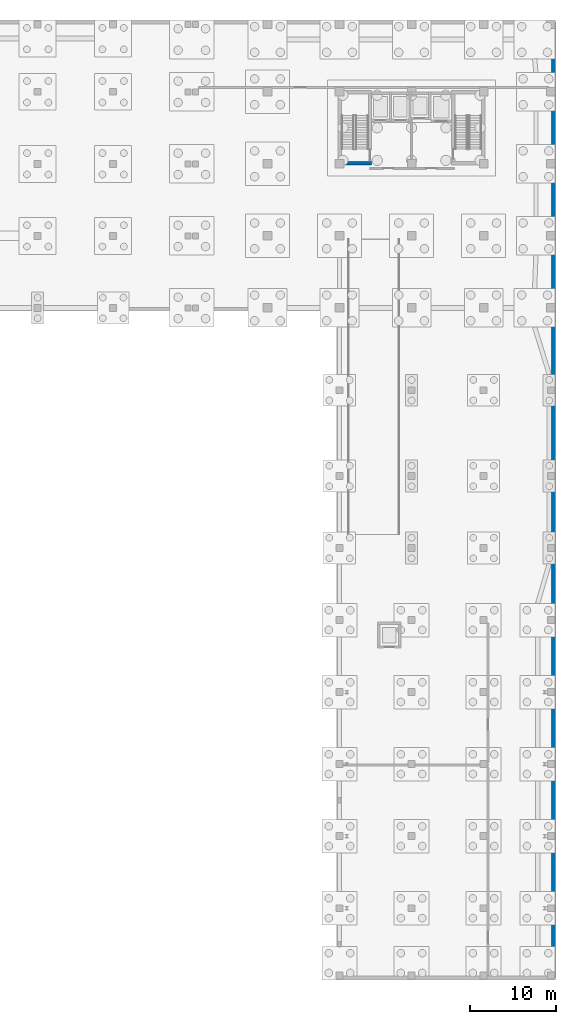
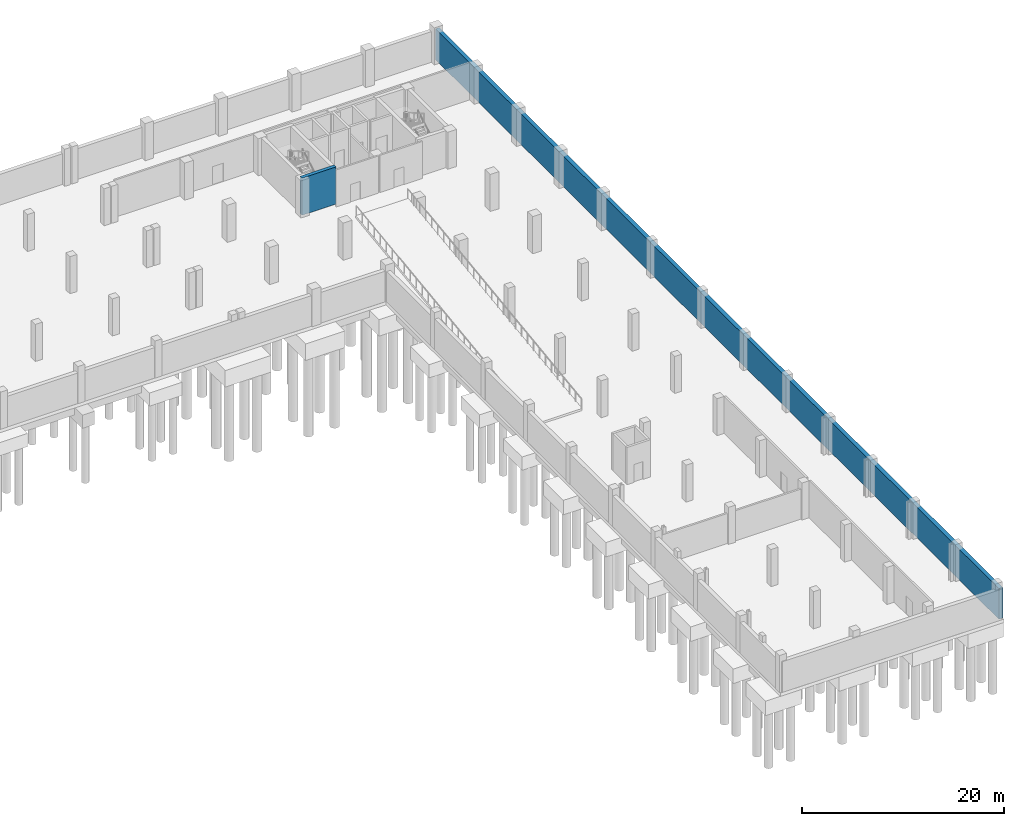
# One storey, part 12 of 18: 2 walls.
"""IFC4 building model written with IfcOpenShell, lengths in metres."""

import ifcopenshell
import ifcopenshell.guid

model = None  # the IFC model being written
_history = None  # IfcOwnerHistory: only IFC2X3 demands one
_inside = {}  # id of a spatial element -> (the spatial element, [elements in it])
_under = {}  # id of a project, library or spatial element -> (it, [spatial elements below it])
_declared = {}  # id of a project -> (the project, [libraries it declares])
_typed = {}  # id of a type object -> (the type object, [elements of that type])
_made_of = {}  # id of a material, layer set ... -> (it, [elements and type objects made of it])


def new_model(schema):
    """Start an empty IFC model of exactly this schema.

    Asked for "IFC4X3", IfcOpenShell would pick the latest addendum, in which some entities
    have other attributes; the version numbers below select the first issue.
    IFC2X3 requires an IfcOwnerHistory on every rooted entity: one is made here for all.
    """
    global model, _history
    if schema == "IFC4X3":
        model = ifcopenshell.file(schema_version=(4, 3, 0, 0))
    else:
        model = ifcopenshell.file(schema=schema)
    _inside.clear()
    _under.clear()
    _declared.clear()
    _typed.clear()
    _made_of.clear()
    _history = None
    if model.schema == "IFC2X3":
        org = make("IfcOrganization", Name="unknown")
        user = make(
            "IfcPersonAndOrganization",
            ThePerson=make("IfcPerson", FamilyName="unknown"),
            TheOrganization=org,
        )
        app = make(
            "IfcApplication",
            ApplicationDeveloper=org,
            Version="unknown",
            ApplicationFullName="unknown",
            ApplicationIdentifier="unknown",
        )
        _history = make(
            "IfcOwnerHistory",
            OwningUser=user,
            OwningApplication=app,
            ChangeAction="ADDED",
            CreationDate=0,
        )
    return model


def make(cls, **values):
    """One entity of the class cls with the attributes given. An attribute that is None is left unset."""
    return model.create_entity(
        cls, **{name: value for name, value in values.items() if value is not None}
    )


def rooted(cls, **values):
    """An entity with a GlobalId (a new one), such as an element, a storey or a relation."""
    return make(cls, GlobalId=ifcopenshell.guid.new(), OwnerHistory=_history, **values)


def si_unit(unit_type, name, prefix=None):
    """IfcSIUnit, for example si_unit("LENGTHUNIT", "METRE", prefix="MILLI")."""
    return make("IfcSIUnit", UnitType=unit_type, Prefix=prefix, Name=name)


def assignment(units):
    """IfcUnitAssignment: the units of a project."""
    return None if units is None else make("IfcUnitAssignment", Units=units)


def point(xyz):
    """IfcCartesianPoint."""
    return None if xyz is None else make("IfcCartesianPoint", Coordinates=xyz)


def direction(xyz):
    """IfcDirection."""
    return None if xyz is None else make("IfcDirection", DirectionRatios=xyz)


def frame(location, z_axis=None, x_axis=None):
    """IfcAxis2Placement3D, a coordinate frame: its origin and axes. An axis left out is left unset."""
    return make(
        "IfcAxis2Placement3D",
        Location=point(location),
        Axis=direction(z_axis),
        RefDirection=direction(x_axis),
    )


def frame_2d(location, x_axis=None):
    """IfcAxis2Placement2D, a coordinate frame in the plane: its origin and x axis."""
    return make(
        "IfcAxis2Placement2D", Location=point(location), RefDirection=direction(x_axis)
    )


def origin():
    """The frame at (0, 0, 0) with its axes left unset."""
    return frame((0.0, 0.0, 0.0))


def place(relative_to, where):
    """IfcLocalPlacement: puts the frame where relative to a parent placement (None: the world)."""
    return make(
        "IfcLocalPlacement", PlacementRelTo=relative_to, RelativePlacement=where
    )


def context(
    kind, dimensions, precision=None, world=None, true_north=None, identifier=None
):
    """IfcGeometricRepresentationContext, for example the 3D "Model" context."""
    return make(
        "IfcGeometricRepresentationContext",
        ContextIdentifier=identifier,
        ContextType=kind,
        CoordinateSpaceDimension=dimensions,
        Precision=precision,
        WorldCoordinateSystem=world,
        TrueNorth=true_north,
    )


def subcontext(parent, identifier, kind, view, scale=None):
    """IfcGeometricRepresentationSubContext, for example "Body" below "Model"."""
    return make(
        "IfcGeometricRepresentationSubContext",
        ContextIdentifier=identifier,
        ContextType=kind,
        ParentContext=parent,
        TargetScale=scale,
        TargetView=view,
    )


def project(units=None, contexts=None):
    """IfcProject with its units and contexts."""
    return rooted(
        "IfcProject",
        Name="project",
        RepresentationContexts=contexts,
        UnitsInContext=assignment(units),
    )


def spatial(cls, under=None, at=None, **own):
    """A site, building, storey or space (cls), placed at a placement, below another one or the project."""
    s = rooted(cls, ObjectPlacement=at, **own)
    if under is not None:
        _under.setdefault(under.id(), (under, []))[1].append(s)
    return s


def profile(cls, at=None, kind="AREA", **sizes):
    """A parametric profile (cls). Its sizes go by their IFC names, for example OverallWidth=200.0."""
    return make(cls, ProfileType=kind, Position=at, **sizes)


def rectangle(**sizes):
    """IfcRectangleProfileDef."""
    return profile("IfcRectangleProfileDef", **sizes)


def extrude(swept, where, along, depth):
    """IfcExtrudedAreaSolid: the profile swept, set in the frame where, extruded along a direction by depth."""
    return make(
        "IfcExtrudedAreaSolid",
        SweptArea=swept,
        Position=where,
        ExtrudedDirection=direction(along),
        Depth=depth,
    )


def shape(context_of_items, identifier, shape_type, items):
    """IfcShapeRepresentation: the items that make up one representation, for example the "Body"."""
    return make(
        "IfcShapeRepresentation",
        ContextOfItems=context_of_items,
        RepresentationIdentifier=identifier,
        RepresentationType=shape_type,
        Items=items,
    )


def material(Name=None, Category=None):
    """IfcMaterial."""
    return make("IfcMaterial", Name=Name, Category=Category)


def layer(
    of_material, thickness, ventilated=None, Name=None, Category=None, Priority=None
):
    """IfcMaterialLayer: one layer of a wall or slab, of a material (None: an air gap)."""
    return make(
        "IfcMaterialLayer",
        Material=of_material,
        LayerThickness=thickness,
        IsVentilated=ventilated,
        Name=Name,
        Category=Category,
        Priority=Priority,
    )


def layer_set(layers, Name=None):
    """IfcMaterialLayerSet."""
    return make("IfcMaterialLayerSet", MaterialLayers=layers, LayerSetName=Name)


def made_of(thing, what):
    """Note that an element or type object is made of a material, layer set ...; save() writes the relation."""
    if what is not None:
        _made_of.setdefault(what.id(), (what, []))[1].append(thing)
    return thing


def type_object(cls, material=None, **own):
    """A type object (cls), such as IfcWallType, which elements share."""
    return made_of(rooted(cls, **own), material)


def element(
    cls,
    number,
    at=None,
    inside=None,
    cuts=None,
    type_object=None,
    material=None,
    context=None,
    identifier="Body",
    shape_type=None,
    held_by="IfcProductDefinitionShape",
    body=None,
    shapes=None,
    **own,
):
    """One element of the class cls, such as IfcWall. Its Tag is "e" and its number.

    at: its placement. inside: the storey or other place that contains it. cuts: it is an
    opening in that element (IfcRelVoidsElement). A single representation is given by context,
    identifier, shape_type and body (its items); several are given by shapes. held_by: the class
    of the entity that holds the representations. save() writes the other relations.
    """
    e = rooted(cls, Tag="e%d" % number, ObjectPlacement=at, **own)
    if body is not None:
        shapes = [shape(context, identifier, shape_type, body)]
    if shapes is not None:
        e.Representation = make(held_by, Representations=shapes)
    if inside is not None:
        _inside.setdefault(inside.id(), (inside, []))[1].append(e)
    if cuts is not None:
        rooted(
            "IfcRelVoidsElement", RelatingBuildingElement=cuts, RelatedOpeningElement=e
        )
    if type_object is not None:
        _typed.setdefault(type_object.id(), (type_object, []))[1].append(e)
    return made_of(e, material)


def aggregate(whole, parts):
    """IfcRelAggregates: a whole, such as a stair, and the parts it consists of."""
    return rooted("IfcRelAggregates", RelatingObject=whole, RelatedObjects=parts)


def save(model, path):
    """Write the relations noted so far, then the file.

    IfcRelAggregates (storeys below a building ...), IfcRelContainedInSpatialStructure (elements
    in a storey), IfcRelDefinesByType, IfcRelAssociatesMaterial and IfcRelDeclares: one each for
    every whole, place, type object, material and project.
    """
    for whole, parts in _under.values():
        aggregate(whole, parts)
    for where, things in _inside.values():
        rooted(
            "IfcRelContainedInSpatialStructure",
            RelatedElements=things,
            RelatingStructure=where,
        )
    for kind, things in _typed.values():
        rooted("IfcRelDefinesByType", RelatedObjects=things, RelatingType=kind)
    for what, things in _made_of.values():
        rooted("IfcRelAssociatesMaterial", RelatedObjects=things, RelatingMaterial=what)
    for by, libraries in _declared.values():
        rooted("IfcRelDeclares", RelatingContext=by, RelatedDefinitions=libraries)
    model.write(path)


model = new_model("IFC4")

# Units and contexts
model_context = context("Model", 3, precision=1e-05, world=origin(), true_north=direction((0.0, 1.0)))
body_context = subcontext(model_context, "Body", "Model", "MODEL_VIEW")
ifc_project = project(units=[si_unit("LENGTHUNIT", "METRE"), si_unit("AREAUNIT", "SQUARE_METRE"), si_unit("VOLUMEUNIT", "CUBIC_METRE"), si_unit("PLANEANGLEUNIT", "RADIAN"), si_unit("MASSUNIT", "GRAM", prefix="KILO")], contexts=[model_context])

# Site, building, storey
site_placement = place(None, origin())
site = spatial("IfcSite", under=ifc_project, at=site_placement, CompositionType="ELEMENT")
building_placement = place(site_placement, origin())
building = spatial("IfcBuilding", under=site, at=building_placement, Name="Brinegate Botanical Conservatory", CompositionType="ELEMENT")
storey_placement = place(building_placement, frame((0.0, 0.0, -9.60009765625)))
storey = spatial("IfcBuildingStorey", under=building, at=storey_placement, Name="B2", CompositionType="ELEMENT", Elevation=-9.60009765625)

# Walls
ifc_material = material(Name="Concrete C50/60", Category="concrete")
ifc_layer_1 = layer(ifc_material, 0.39990234375, Name="Concrete C50/60", Category="concrete")
ifc_layer_set_1 = layer_set([ifc_layer_1], Name="Concrete C50/60")
wall_type_1 = type_object("IfcWallType", Name="Wall_SW-400", PredefinedType="SHEAR", material=ifc_layer_set_1)
wall_1_placement = place(storey_placement, frame((138.64990234375, 95.25, 0.0), z_axis=(0.0, 0.0, 1.0), x_axis=(1.0, 0.0, 0.0)))
element("IfcWall", 1, at=wall_1_placement, inside=storey, type_object=wall_type_1, Name="Stairwell ST1 shear wall B2 S", PredefinedType="SHEAR", context=body_context, shape_type="SweptSolid", body=[
    extrude(rectangle(XDim=3.900146484375, YDim=0.39990234375, at=frame_2d((1.9501953125, 0.0))), origin(), (0.0, 0.0, 1.0), 4.47998046875),
])
ifc_layer_2 = layer(ifc_material, 0.449951171875, Name="Concrete C50/60", Category="concrete")
ifc_layer_set_2 = layer_set([ifc_layer_2], Name="Concrete C50/60")
wall_type_2 = type_object("IfcWallType", Name="Wall_SW-450", PredefinedType="SHEAR", material=ifc_layer_set_2)
wall_2_placement = place(storey_placement, frame((163.739990234375, 0.260009765625, 0.0), z_axis=(0.0, 0.0, 1.0), x_axis=(0.0, 1.0, 0.0)))
element("IfcWall", 2, at=wall_2_placement, inside=storey, type_object=wall_type_2, Name="Basement perimeter retaining shear wall B2.4", PredefinedType="SHEAR", context=body_context, shape_type="SweptSolid", body=[
    extrude(rectangle(XDim=111.47998046875, YDim=0.449951171875, at=frame_2d((55.739990234375, 0.0))), origin(), (0.0, 0.0, 1.0), 3.7001953125),
])

save(model, "model.ifc")
